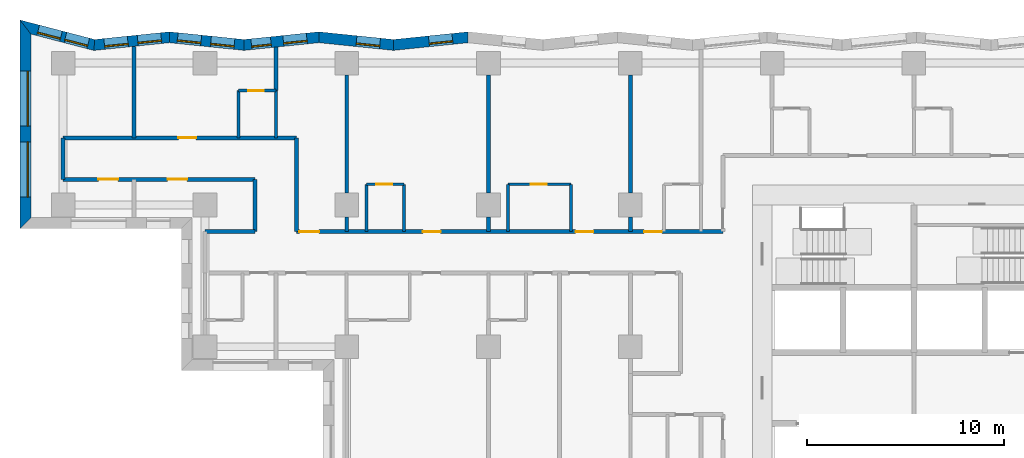
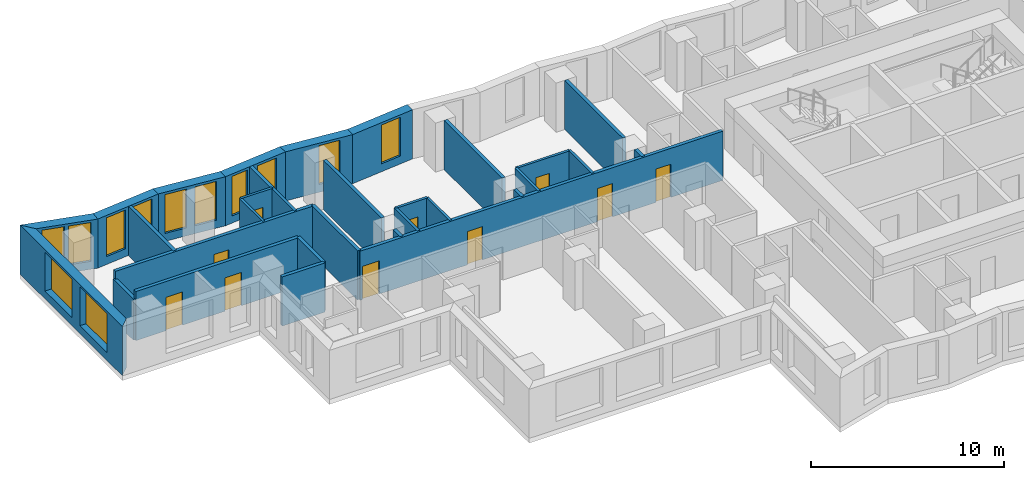
# One storey, part 4 of 12: 31 walls, 12 windows, 10 doors, 22 openings.
"""IFC4 building model written with IfcOpenShell, lengths in metres."""

from ifc_helpers import new_model, si_unit, direction, frame, frame_2d, origin, place, context, subcontext, project, spatial, polyline, rectangle, outline, extrude, material, layer, layer_set, type_object, element, fill, save


model = new_model("IFC4")

# Units and contexts
model_context = context("Model", 3, precision=1e-05, world=origin(), true_north=direction((0.0, 1.0)))
body_context = subcontext(model_context, "Body", "Model", "MODEL_VIEW")
ifc_project = project(units=[si_unit("LENGTHUNIT", "METRE"), si_unit("AREAUNIT", "SQUARE_METRE"), si_unit("VOLUMEUNIT", "CUBIC_METRE"), si_unit("PLANEANGLEUNIT", "RADIAN"), si_unit("MASSUNIT", "GRAM", prefix="KILO")], contexts=[model_context])

# Site, building, storey
site_placement = place(None, origin())
site = spatial("IfcSite", under=ifc_project, at=site_placement, CompositionType="ELEMENT")
building_placement = place(site_placement, origin())
building = spatial("IfcBuilding", under=site, at=building_placement, Name="Windrow Commons", CompositionType="ELEMENT")
storey_placement = place(building_placement, frame((0.0, 0.0, 37.2)))
storey = spatial("IfcBuildingStorey", under=building, at=storey_placement, Name="L09", CompositionType="ELEMENT", Elevation=37.2)

# Wall, opening, window
ifc_material_1 = material(Name="Brick masonry, red clay brick", Category="masonry")
ifc_layer_1 = layer(ifc_material_1, 0.55)
ifc_layer_set_1 = layer_set([ifc_layer_1], Name="Brick facade wall 550")
wall_type_1 = type_object("IfcWallType", Name="Brick facade wall 550", PredefinedType="SOLIDWALL", material=ifc_layer_set_1)
wall_1_placement = place(storey_placement, frame((42.171, 73.3145, 0.0), z_axis=(0.0, 0.0, 1.0), x_axis=(-0.9947306832, -0.1025225234, 0.0)))
wall_1 = element("IfcWall", 1, at=wall_1_placement, inside=storey, type_object=wall_type_1, Name="Brick facade wall L09 33", PredefinedType="SOLIDWALL", context=body_context, shape_type="SweptSolid", body=[
    extrude(outline(polyline([(-0.0283, -0.275), (3.7854, -0.275), (3.8421, 0.275), (0.0283, 0.275), (-0.0283, -0.275)])), origin(), (0.0, 0.0, 1.0), 3.1),
])
opening_1_placement = place(wall_1_placement, frame((0.8065, 0.0, 0.5)))
opening_1 = element("IfcOpeningElement", 2, at=opening_1_placement, cuts=wall_1, Name="Opening W7D", PredefinedType="OPENING", context=body_context, shape_type="SweptSolid", body=[
    extrude(rectangle(XDim=1.2, YDim=2.45, at=frame_2d((0.6, 1.225))), frame((0.0, 0.285, 0.0), z_axis=(0.0, -1.0, 0.0), x_axis=(1.0, 0.0, 0.0)), (0.0, 0.0, 1.0), 0.57),
])
ifc_material_2 = material(Name="Clear float glass in anodised aluminium frame", Category="aluminium")
window_type_1 = type_object("IfcWindowType", Name="Window W7 notch 1200x2450", PartitioningType="SINGLE_PANEL", PredefinedType="WINDOW", material=ifc_material_2)
window_1_placement = place(opening_1_placement, origin())
window_1 = element("IfcWindow", 3, at=window_1_placement, inside=storey, type_object=window_type_1, Name="Window L09 33.1", OverallHeight=2.45, OverallWidth=1.2, PartitioningType="SINGLE_PANEL", PredefinedType="WINDOW", context=body_context, shape_type="SweptSolid", body=[
    extrude(rectangle(XDim=1.2, YDim=2.45, at=frame_2d((0.6, 1.225))), frame((0.0, 0.155, 0.0), z_axis=(0.0, -1.0, 0.0), x_axis=(1.0, 0.0, 0.0)), (0.0, 0.0, 1.0), 0.06),
])
fill(opening_1, window_1)

wall_2_placement = place(storey_placement, frame((38.3773, 72.9235, 0.0), z_axis=(0.0, 0.0, 1.0), x_axis=(-0.9947306832, 0.1025225234, 0.0)))
wall_2 = element("IfcWall", 4, at=wall_2_placement, inside=storey, type_object=wall_type_1, Name="Brick facade wall L09 34", PredefinedType="SOLIDWALL", context=body_context, shape_type="SweptSolid", body=[
    extrude(outline(polyline([(0.0283, -0.275), (3.8421, -0.275), (3.7854, 0.275), (-0.0283, 0.275), (0.0283, -0.275)])), origin(), (0.0, 0.0, 1.0), 3.1),
])
opening_2_placement = place(wall_2_placement, frame((0.695, 0.0, 0.5)))
opening_2 = element("IfcOpeningElement", 5, at=opening_2_placement, cuts=wall_2, Name="Opening W7D", PredefinedType="OPENING", context=body_context, shape_type="SweptSolid", body=[
    extrude(rectangle(XDim=1.2, YDim=2.45, at=frame_2d((0.6, 1.225))), frame((0.0, 0.285, 0.0), z_axis=(0.0, -1.0, 0.0), x_axis=(1.0, 0.0, 0.0)), (0.0, 0.0, 1.0), 0.57),
])
window_2_placement = place(opening_2_placement, origin())
window_2 = element("IfcWindow", 6, at=window_2_placement, inside=storey, type_object=window_type_1, Name="Window L09 34.1", OverallHeight=2.45, OverallWidth=1.2, PartitioningType="SINGLE_PANEL", PredefinedType="WINDOW", context=body_context, shape_type="SweptSolid", body=[
    extrude(rectangle(XDim=1.2, YDim=2.45, at=frame_2d((0.6, 1.225))), frame((0.0, 0.155, 0.0), z_axis=(0.0, -1.0, 0.0), x_axis=(1.0, 0.0, 0.0)), (0.0, 0.0, 1.0), 0.06),
])
fill(opening_2, window_2)

# Wall, openings, windows
wall_3_placement = place(storey_placement, frame((34.5836, 73.3145, 0.0), z_axis=(0.0, 0.0, 1.0), x_axis=(-0.9947304076, -0.1025251975, 0.0)))
wall_3 = element("IfcWall", 7, at=wall_3_placement, inside=storey, type_object=wall_type_1, Name="Brick facade wall L09 35", PredefinedType="SOLIDWALL", context=body_context, shape_type="SweptSolid", body=[
    extrude(outline(polyline([(-0.0283, -0.275), (3.7854, -0.275), (3.8421, 0.275), (0.0283, 0.275), (-0.0283, -0.275)])), origin(), (0.0, 0.0, 1.0), 3.1),
])
opening_3_placement = place(wall_3_placement, frame((0.6118, 0.0, 0.5)))
opening_3 = element("IfcOpeningElement", 8, at=opening_3_placement, cuts=wall_3, Name="Opening W7D", PredefinedType="OPENING", context=body_context, shape_type="SweptSolid", body=[
    extrude(rectangle(XDim=1.2, YDim=2.45, at=frame_2d((0.6, 1.225))), frame((0.0, 0.285, 0.0), z_axis=(0.0, -1.0, 0.0), x_axis=(1.0, 0.0, 0.0)), (0.0, 0.0, 1.0), 0.57),
])
opening_4_placement = place(wall_3_placement, frame((2.4439, 0.0, 0.45)))
opening_4 = element("IfcOpeningElement", 9, at=opening_4_placement, cuts=wall_3, Name="Opening W1S", PredefinedType="OPENING", context=body_context, shape_type="SweptSolid", body=[
    extrude(rectangle(XDim=1.0, YDim=2.5, at=frame_2d((0.5, 1.25))), frame((0.0, 0.285, 0.0), z_axis=(0.0, -1.0, 0.0), x_axis=(1.0, 0.0, 0.0)), (0.0, 0.0, 1.0), 0.57),
])
ifc_material_3 = material(Name="Clear float glass in anodised aluminium frame", Category="aluminium")
window_type_2 = type_object("IfcWindowType", Name="Window W1S slit 1000x2500", PartitioningType="SINGLE_PANEL", PredefinedType="WINDOW", material=ifc_material_3)
window_3_placement = place(opening_4_placement, origin())
window_3 = element("IfcWindow", 10, at=window_3_placement, inside=storey, type_object=window_type_2, Name="Window L09 35.2A", OverallHeight=2.5, OverallWidth=1.0, PartitioningType="SINGLE_PANEL", PredefinedType="WINDOW", context=body_context, shape_type="SweptSolid", body=[
    extrude(rectangle(XDim=1.0, YDim=2.5, at=frame_2d((0.5, 1.25))), frame((0.0, 0.155, 0.0), z_axis=(0.0, -1.0, 0.0), x_axis=(1.0, 0.0, 0.0)), (0.0, 0.0, 1.0), 0.06),
])
fill(opening_4, window_3)
window_4_placement = place(opening_3_placement, origin())
window_4 = element("IfcWindow", 11, at=window_4_placement, inside=storey, type_object=window_type_1, Name="Window L09 35.1", OverallHeight=2.45, OverallWidth=1.2, PartitioningType="SINGLE_PANEL", PredefinedType="WINDOW", context=body_context, shape_type="SweptSolid", body=[
    extrude(rectangle(XDim=1.2, YDim=2.45, at=frame_2d((0.6, 1.225))), frame((0.0, 0.155, 0.0), z_axis=(0.0, -1.0, 0.0), x_axis=(1.0, 0.0, 0.0)), (0.0, 0.0, 1.0), 0.06),
])
fill(opening_3, window_4)

wall_4_placement = place(storey_placement, frame((30.79, 72.9235, 0.0), z_axis=(0.0, 0.0, 1.0), x_axis=(-0.9947306832, 0.1025225234, 0.0)))
wall_4 = element("IfcWall", 12, at=wall_4_placement, inside=storey, type_object=wall_type_1, Name="Brick facade wall L09 36", PredefinedType="SOLIDWALL", context=body_context, shape_type="SweptSolid", body=[
    extrude(outline(polyline([(0.0283, -0.275), (3.8421, -0.275), (3.7854, 0.275), (-0.0283, 0.275), (0.0283, -0.275)])), origin(), (0.0, 0.0, 1.0), 3.1),
])
opening_5_placement = place(wall_4_placement, frame((0.5003, 0.0, 0.5)))
opening_5 = element("IfcOpeningElement", 13, at=opening_5_placement, cuts=wall_4, Name="Opening W7D", PredefinedType="OPENING", context=body_context, shape_type="SweptSolid", body=[
    extrude(rectangle(XDim=1.2, YDim=2.45, at=frame_2d((0.6, 1.225))), frame((0.0, 0.285, 0.0), z_axis=(0.0, -1.0, 0.0), x_axis=(1.0, 0.0, 0.0)), (0.0, 0.0, 1.0), 0.57),
])
opening_6_placement = place(wall_4_placement, frame((2.193, 0.0, 0.5)))
opening_6 = element("IfcOpeningElement", 14, at=opening_6_placement, cuts=wall_4, Name="Opening W7D", PredefinedType="OPENING", context=body_context, shape_type="SweptSolid", body=[
    extrude(rectangle(XDim=1.2, YDim=2.45, at=frame_2d((0.6, 1.225))), frame((0.0, 0.285, 0.0), z_axis=(0.0, -1.0, 0.0), x_axis=(1.0, 0.0, 0.0)), (0.0, 0.0, 1.0), 0.57),
])
window_5_placement = place(opening_5_placement, origin())
window_5 = element("IfcWindow", 15, at=window_5_placement, inside=storey, type_object=window_type_1, Name="Window L09 36.1", OverallHeight=2.45, OverallWidth=1.2, PartitioningType="SINGLE_PANEL", PredefinedType="WINDOW", context=body_context, shape_type="SweptSolid", body=[
    extrude(rectangle(XDim=1.2, YDim=2.45, at=frame_2d((0.6, 1.225))), frame((0.0, 0.155, 0.0), z_axis=(0.0, -1.0, 0.0), x_axis=(1.0, 0.0, 0.0)), (0.0, 0.0, 1.0), 0.06),
])
fill(opening_5, window_5)
window_6_placement = place(opening_6_placement, origin())
window_6 = element("IfcWindow", 16, at=window_6_placement, inside=storey, type_object=window_type_1, Name="Window L09 36.2", OverallHeight=2.45, OverallWidth=1.2, PartitioningType="SINGLE_PANEL", PredefinedType="WINDOW", context=body_context, shape_type="SweptSolid", body=[
    extrude(rectangle(XDim=1.2, YDim=2.45, at=frame_2d((0.6, 1.225))), frame((0.0, 0.155, 0.0), z_axis=(0.0, -1.0, 0.0), x_axis=(1.0, 0.0, 0.0)), (0.0, 0.0, 1.0), 0.06),
])
fill(opening_6, window_6)

wall_5_placement = place(storey_placement, frame((26.9963, 73.3145, 0.0), z_axis=(0.0, 0.0, 1.0), x_axis=(-0.9947305582, -0.1025237367, 0.0)))
wall_5 = element("IfcWall", 17, at=wall_5_placement, inside=storey, type_object=wall_type_1, Name="Brick facade wall L09 37", PredefinedType="SOLIDWALL", context=body_context, shape_type="SweptSolid", body=[
    extrude(outline(polyline([(-0.0283, -0.275), (3.7854, -0.275), (3.885, 0.275), (0.0283, 0.275), (-0.0283, -0.275)])), origin(), (0.0, 0.0, 1.0), 3.1),
])
opening_7_placement = place(wall_5_placement, frame((0.4171, 0.0, 0.5)))
opening_7 = element("IfcOpeningElement", 18, at=opening_7_placement, cuts=wall_5, Name="Opening W7D", PredefinedType="OPENING", context=body_context, shape_type="SweptSolid", body=[
    extrude(rectangle(XDim=1.2, YDim=2.45, at=frame_2d((0.6, 1.225))), frame((0.0, 0.285, 0.0), z_axis=(0.0, -1.0, 0.0), x_axis=(1.0, 0.0, 0.0)), (0.0, 0.0, 1.0), 0.57),
])
opening_8_placement = place(wall_5_placement, frame((2.1205, 0.0, 0.5)))
opening_8 = element("IfcOpeningElement", 19, at=opening_8_placement, cuts=wall_5, Name="Opening W7D", PredefinedType="OPENING", context=body_context, shape_type="SweptSolid", body=[
    extrude(rectangle(XDim=1.2, YDim=2.45, at=frame_2d((0.6, 1.225))), frame((0.0, 0.285, 0.0), z_axis=(0.0, -1.0, 0.0), x_axis=(1.0, 0.0, 0.0)), (0.0, 0.0, 1.0), 0.57),
])
window_7_placement = place(opening_7_placement, origin())
window_7 = element("IfcWindow", 20, at=window_7_placement, inside=storey, type_object=window_type_1, Name="Window L09 37.1", OverallHeight=2.45, OverallWidth=1.2, PartitioningType="SINGLE_PANEL", PredefinedType="WINDOW", context=body_context, shape_type="SweptSolid", body=[
    extrude(rectangle(XDim=1.2, YDim=2.45, at=frame_2d((0.6, 1.225))), frame((0.0, 0.155, 0.0), z_axis=(0.0, -1.0, 0.0), x_axis=(1.0, 0.0, 0.0)), (0.0, 0.0, 1.0), 0.06),
])
fill(opening_7, window_7)
window_8_placement = place(opening_8_placement, origin())
window_8 = element("IfcWindow", 21, at=window_8_placement, inside=storey, type_object=window_type_1, Name="Window L09 37.2", OverallHeight=2.45, OverallWidth=1.2, PartitioningType="SINGLE_PANEL", PredefinedType="WINDOW", context=body_context, shape_type="SweptSolid", body=[
    extrude(rectangle(XDim=1.2, YDim=2.45, at=frame_2d((0.6, 1.225))), frame((0.0, 0.155, 0.0), z_axis=(0.0, -1.0, 0.0), x_axis=(1.0, 0.0, 0.0)), (0.0, 0.0, 1.0), 0.06),
])
fill(opening_8, window_8)

wall_6_placement = place(storey_placement, frame((23.1813, 72.9213, 0.0), z_axis=(0.0, 0.0, 1.0), x_axis=(-0.9675320185, 0.252748478, 0.0)))
wall_6 = element("IfcWall", 22, at=wall_6_placement, inside=storey, type_object=wall_type_1, Name="Brick facade wall L09 38", PredefinedType="SOLIDWALL", context=body_context, shape_type="SweptSolid", body=[
    extrude(outline(polyline([(0.0498, -0.275), (3.9708, -0.275), (3.2586, 0.275), (-0.0498, 0.275), (0.0498, -0.275)])), origin(), (0.0, 0.0, 1.0), 3.1),
])
opening_9_placement = place(wall_6_placement, frame((0.3172, 0.0, 0.5)))
opening_9 = element("IfcOpeningElement", 23, at=opening_9_placement, cuts=wall_6, Name="Opening W7D", PredefinedType="OPENING", context=body_context, shape_type="SweptSolid", body=[
    extrude(rectangle(XDim=1.2, YDim=2.45, at=frame_2d((0.6, 1.225))), frame((0.0, 0.285, 0.0), z_axis=(0.0, -1.0, 0.0), x_axis=(1.0, 0.0, 0.0)), (0.0, 0.0, 1.0), 0.57),
])
opening_10_placement = place(wall_6_placement, frame((1.7465, 0.0, 0.5)))
opening_10 = element("IfcOpeningElement", 24, at=opening_10_placement, cuts=wall_6, Name="Opening W7D", PredefinedType="OPENING", context=body_context, shape_type="SweptSolid", body=[
    extrude(rectangle(XDim=1.2, YDim=2.45, at=frame_2d((0.6, 1.225))), frame((0.0, 0.285, 0.0), z_axis=(0.0, -1.0, 0.0), x_axis=(1.0, 0.0, 0.0)), (0.0, 0.0, 1.0), 0.57),
])
window_9_placement = place(opening_9_placement, origin())
window_9 = element("IfcWindow", 25, at=window_9_placement, inside=storey, type_object=window_type_1, Name="Window L09 38.1", OverallHeight=2.45, OverallWidth=1.2, PartitioningType="SINGLE_PANEL", PredefinedType="WINDOW", context=body_context, shape_type="SweptSolid", body=[
    extrude(rectangle(XDim=1.2, YDim=2.45, at=frame_2d((0.6, 1.225))), frame((0.0, 0.155, 0.0), z_axis=(0.0, -1.0, 0.0), x_axis=(1.0, 0.0, 0.0)), (0.0, 0.0, 1.0), 0.06),
])
fill(opening_9, window_9)
window_10_placement = place(opening_10_placement, origin())
window_10 = element("IfcWindow", 26, at=window_10_placement, inside=storey, type_object=window_type_1, Name="Window L09 38.2", OverallHeight=2.45, OverallWidth=1.2, PartitioningType="SINGLE_PANEL", PredefinedType="WINDOW", context=body_context, shape_type="SweptSolid", body=[
    extrude(rectangle(XDim=1.2, YDim=2.45, at=frame_2d((0.6, 1.225))), frame((0.0, 0.155, 0.0), z_axis=(0.0, -1.0, 0.0), x_axis=(1.0, 0.0, 0.0)), (0.0, 0.0, 1.0), 0.06),
])
fill(opening_10, window_10)

wall_7_placement = place(storey_placement, frame((19.684, 73.8349, 0.0), z_axis=(0.0, 0.0, 1.0), x_axis=(0.0, -1.0, 0.0)))
wall_7 = element("IfcWall", 27, at=wall_7_placement, inside=storey, type_object=wall_type_1, Name="Brick facade wall L09 39", PredefinedType="SOLIDWALL", context=body_context, shape_type="SweptSolid", body=[
    extrude(outline(polyline([(-0.3561, -0.275), (10.2349, -0.275), (9.6849, 0.275), (0.3561, 0.275), (-0.3561, -0.275)])), origin(), (0.0, 0.0, 1.0), 3.1),
])
opening_11_placement = place(wall_7_placement, frame((2.2349, 0.0, 0.5)))
opening_11 = element("IfcOpeningElement", 28, at=opening_11_placement, cuts=wall_7, Name="Opening W1T", PredefinedType="OPENING", context=body_context, shape_type="SweptSolid", body=[
    extrude(rectangle(XDim=2.8, YDim=2.45, at=frame_2d((1.4, 1.225))), frame((0.0, 0.285, 0.0), z_axis=(0.0, -1.0, 0.0), x_axis=(1.0, 0.0, 0.0)), (0.0, 0.0, 1.0), 0.57),
])
opening_12_placement = place(wall_7_placement, frame((5.8349, 0.0, 0.5)))
opening_12 = element("IfcOpeningElement", 29, at=opening_12_placement, cuts=wall_7, Name="Opening W1T", PredefinedType="OPENING", context=body_context, shape_type="SweptSolid", body=[
    extrude(rectangle(XDim=2.8, YDim=2.45, at=frame_2d((1.4, 1.225))), frame((0.0, 0.285, 0.0), z_axis=(0.0, -1.0, 0.0), x_axis=(1.0, 0.0, 0.0)), (0.0, 0.0, 1.0), 0.57),
])
ifc_material_4 = material(Name="Clear float glass in anodised aluminium frame", Category="aluminium")
window_type_3 = type_object("IfcWindowType", Name="Window W1T bedroom 2800x2450", PartitioningType="SINGLE_PANEL", PredefinedType="WINDOW", material=ifc_material_4)
window_11_placement = place(opening_11_placement, origin())
window_11 = element("IfcWindow", 30, at=window_11_placement, inside=storey, type_object=window_type_3, Name="Window L09 39.1", OverallHeight=2.45, OverallWidth=2.8, PartitioningType="SINGLE_PANEL", PredefinedType="WINDOW", context=body_context, shape_type="SweptSolid", body=[
    extrude(rectangle(XDim=2.8, YDim=2.45, at=frame_2d((1.4, 1.225))), frame((0.0, 0.155, 0.0), z_axis=(0.0, -1.0, 0.0), x_axis=(1.0, 0.0, 0.0)), (0.0, 0.0, 1.0), 0.06),
])
fill(opening_11, window_11)
window_12_placement = place(opening_12_placement, origin())
window_12 = element("IfcWindow", 31, at=window_12_placement, inside=storey, type_object=window_type_3, Name="Window L09 39.2", OverallHeight=2.45, OverallWidth=2.8, PartitioningType="SINGLE_PANEL", PredefinedType="WINDOW", context=body_context, shape_type="SweptSolid", body=[
    extrude(rectangle(XDim=2.8, YDim=2.45, at=frame_2d((1.4, 1.225))), frame((0.0, 0.155, 0.0), z_axis=(0.0, -1.0, 0.0), x_axis=(1.0, 0.0, 0.0)), (0.0, 0.0, 1.0), 0.06),
])
fill(opening_12, window_12)

# Wall, openings, doors
ifc_material_5 = material(Name="Blockwork partition", Category="masonry")
ifc_layer_2 = layer(ifc_material_5, 0.2)
ifc_layer_set_2 = layer_set([ifc_layer_2], Name="IW-CORRIDOR-200")
wall_type_2 = type_object("IfcWallType", Name="IW-CORRIDOR-200", PredefinedType="PARTITIONING", material=ifc_layer_set_2)
wall_8_placement = place(storey_placement, frame((33.452, 63.45, 0.0), z_axis=(0.0, 0.0, 1.0), x_axis=(1.0, 0.0, 0.0)))
wall_8 = element("IfcWall", 32, at=wall_8_placement, inside=storey, type_object=wall_type_2, Name="W-L09-W001", PredefinedType="PARTITIONING", context=body_context, shape_type="SweptSolid", body=[
    extrude(rectangle(XDim=21.648, YDim=0.2, at=frame_2d((10.824, 0.0))), origin(), (0.0, 0.0, 1.0), 3.1),
])
opening_13_placement = place(wall_8_placement, frame((0.1418, 0.0, 0.0)))
opening_13 = element("IfcOpeningElement", 33, at=opening_13_placement, cuts=wall_8, Name="Opening D310F", PredefinedType="OPENING", context=body_context, shape_type="SweptSolid", body=[
    extrude(rectangle(XDim=1.0, YDim=2.1, at=frame_2d((0.5, 1.05))), frame((0.0, 0.11, 0.0), z_axis=(0.0, -1.0, 0.0), x_axis=(1.0, 0.0, 0.0)), (0.0, 0.0, 1.0), 0.22),
])
opening_14_placement = place(wall_8_placement, frame((6.4121, 0.0, 0.0)))
opening_14 = element("IfcOpeningElement", 34, at=opening_14_placement, cuts=wall_8, Name="Opening D109F", PredefinedType="OPENING", context=body_context, shape_type="SweptSolid", body=[
    extrude(rectangle(XDim=0.9, YDim=2.1, at=frame_2d((0.45, 1.05))), frame((0.0, 0.11, 0.0), z_axis=(0.0, -1.0, 0.0), x_axis=(1.0, 0.0, 0.0)), (0.0, 0.0, 1.0), 0.22),
])
opening_15_placement = place(wall_8_placement, frame((14.168, 0.0, 0.0)))
opening_15 = element("IfcOpeningElement", 35, at=opening_15_placement, cuts=wall_8, Name="Opening D109F", PredefinedType="OPENING", context=body_context, shape_type="SweptSolid", body=[
    extrude(rectangle(XDim=0.9, YDim=2.1, at=frame_2d((0.45, 1.05))), frame((0.0, 0.11, 0.0), z_axis=(0.0, -1.0, 0.0), x_axis=(1.0, 0.0, 0.0)), (0.0, 0.0, 1.0), 0.22),
])
opening_16_placement = place(wall_8_placement, frame((17.6513, 0.0, 0.0)))
opening_16 = element("IfcOpeningElement", 36, at=opening_16_placement, cuts=wall_8, Name="Opening D109S", PredefinedType="OPENING", context=body_context, shape_type="SweptSolid", body=[
    extrude(rectangle(XDim=0.9, YDim=2.1, at=frame_2d((0.45, 1.05))), frame((0.0, 0.11, 0.0), z_axis=(0.0, -1.0, 0.0), x_axis=(1.0, 0.0, 0.0)), (0.0, 0.0, 1.0), 0.22),
])
ifc_material_6 = material(Name="Timber door leaf", Category="wood")
door_type_1 = type_object("IfcDoorType", Name="DT-AMENITY-1000", OperationType="SINGLE_SWING_LEFT", PredefinedType="DOOR", material=ifc_material_6)
door_1_placement = place(opening_13_placement, origin())
door_1 = element("IfcDoor", 37, at=door_1_placement, inside=storey, type_object=door_type_1, Name="D-L09-D012", OperationType="SINGLE_SWING_LEFT", OverallHeight=2.1, OverallWidth=1.0, PredefinedType="DOOR", context=body_context, shape_type="SweptSolid", body=[
    extrude(rectangle(XDim=1.0, YDim=2.1, at=frame_2d((0.5, 1.05))), frame((0.0, 0.025, 0.0), z_axis=(0.0, -1.0, 0.0), x_axis=(1.0, 0.0, 0.0)), (0.0, 0.0, 1.0), 0.05),
])
fill(opening_13, door_1)
ifc_material_7 = material(Name="Timber door leaf", Category="wood")
door_type_2 = type_object("IfcDoorType", Name="DT-BEDROOM-900", OperationType="SINGLE_SWING_LEFT", PredefinedType="DOOR", material=ifc_material_7)
door_2_placement = place(opening_14_placement, origin())
door_2 = element("IfcDoor", 38, at=door_2_placement, inside=storey, type_object=door_type_2, Name="D-L09-D013", OperationType="SINGLE_SWING_RIGHT", OverallHeight=2.1, OverallWidth=0.9, PredefinedType="DOOR", context=body_context, shape_type="SweptSolid", body=[
    extrude(rectangle(XDim=0.9, YDim=2.1, at=frame_2d((0.45, 1.05))), frame((0.0, 0.025, 0.0), z_axis=(0.0, -1.0, 0.0), x_axis=(1.0, 0.0, 0.0)), (0.0, 0.0, 1.0), 0.05),
])
fill(opening_14, door_2)
door_3_placement = place(opening_15_placement, origin())
door_3 = element("IfcDoor", 39, at=door_3_placement, inside=storey, type_object=door_type_2, Name="D-L09-D015", OperationType="SINGLE_SWING_RIGHT", OverallHeight=2.1, OverallWidth=0.9, PredefinedType="DOOR", context=body_context, shape_type="SweptSolid", body=[
    extrude(rectangle(XDim=0.9, YDim=2.1, at=frame_2d((0.45, 1.05))), frame((0.0, 0.025, 0.0), z_axis=(0.0, -1.0, 0.0), x_axis=(1.0, 0.0, 0.0)), (0.0, 0.0, 1.0), 0.05),
])
fill(opening_15, door_3)
door_4_placement = place(opening_16_placement, origin())
door_4 = element("IfcDoor", 40, at=door_4_placement, inside=storey, type_object=door_type_2, Name="D-L09-D017", OperationType="SINGLE_SWING_RIGHT", OverallHeight=2.1, OverallWidth=0.9, PredefinedType="DOOR", context=body_context, shape_type="SweptSolid", body=[
    extrude(rectangle(XDim=0.9, YDim=2.1, at=frame_2d((0.45, 1.05))), frame((0.0, 0.025, 0.0), z_axis=(0.0, -1.0, 0.0), x_axis=(1.0, 0.0, 0.0)), (0.0, 0.0, 1.0), 0.05),
])
fill(opening_16, door_4)

# Wall, opening, door
wall_9_placement = place(storey_placement, frame((21.602, 68.2, 0.0), z_axis=(0.0, 0.0, 1.0), x_axis=(1.0, 0.0, 0.0)))
wall_9 = element("IfcWall", 41, at=wall_9_placement, inside=storey, type_object=wall_type_2, Name="W-L09-W006", PredefinedType="PARTITIONING", context=body_context, shape_type="SweptSolid", body=[
    extrude(rectangle(XDim=11.848, YDim=0.2, at=frame_2d((5.924, 0.0))), origin(), (0.0, 0.0, 1.0), 3.1),
])
opening_17_placement = place(wall_9_placement, frame((5.8546, 0.0, 0.0)))
opening_17 = element("IfcOpeningElement", 42, at=opening_17_placement, cuts=wall_9, Name="Opening D109F", PredefinedType="OPENING", context=body_context, shape_type="SweptSolid", body=[
    extrude(rectangle(XDim=0.9, YDim=2.1, at=frame_2d((0.45, 1.05))), frame((0.0, 0.11, 0.0), z_axis=(0.0, -1.0, 0.0), x_axis=(1.0, 0.0, 0.0)), (0.0, 0.0, 1.0), 0.22),
])
door_5_placement = place(opening_17_placement, origin())
door_5 = element("IfcDoor", 43, at=door_5_placement, inside=storey, type_object=door_type_2, Name="D-L09-D003", OperationType="SINGLE_SWING_LEFT", OverallHeight=2.1, OverallWidth=0.9, PredefinedType="DOOR", context=body_context, shape_type="SweptSolid", body=[
    extrude(rectangle(XDim=0.9, YDim=2.1, at=frame_2d((0.45, 1.05))), frame((0.0, 0.025, 0.0), z_axis=(0.0, -1.0, 0.0), x_axis=(1.0, 0.0, 0.0)), (0.0, 0.0, 1.0), 0.05),
])
fill(opening_17, door_5)

# Wall, openings, doors
wall_10_placement = place(storey_placement, frame((21.602, 66.1, 0.0), z_axis=(0.0, 0.0, 1.0), x_axis=(1.0, 0.0, 0.0)))
wall_10 = element("IfcWall", 44, at=wall_10_placement, inside=storey, type_object=wall_type_2, Name="W-L09-W012", PredefinedType="PARTITIONING", context=body_context, shape_type="SweptSolid", body=[
    extrude(rectangle(XDim=9.748, YDim=0.2, at=frame_2d((4.874, 0.0))), origin(), (0.0, 0.0, 1.0), 3.1),
])
opening_18_placement = place(wall_10_placement, frame((1.7907, 0.0, 0.0)))
opening_18 = element("IfcOpeningElement", 45, at=opening_18_placement, cuts=wall_10, Name="Opening D310F", PredefinedType="OPENING", context=body_context, shape_type="SweptSolid", body=[
    extrude(rectangle(XDim=1.0, YDim=2.1, at=frame_2d((0.5, 1.05))), frame((0.0, 0.11, 0.0), z_axis=(0.0, -1.0, 0.0), x_axis=(1.0, 0.0, 0.0)), (0.0, 0.0, 1.0), 0.22),
])
opening_19_placement = place(wall_10_placement, frame((5.2996, 0.0, 0.0)))
opening_19 = element("IfcOpeningElement", 46, at=opening_19_placement, cuts=wall_10, Name="Opening D310F", PredefinedType="OPENING", context=body_context, shape_type="SweptSolid", body=[
    extrude(rectangle(XDim=1.0, YDim=2.1, at=frame_2d((0.5, 1.05))), frame((0.0, 0.11, 0.0), z_axis=(0.0, -1.0, 0.0), x_axis=(1.0, 0.0, 0.0)), (0.0, 0.0, 1.0), 0.22),
])
door_6_placement = place(opening_18_placement, origin())
door_6 = element("IfcDoor", 47, at=door_6_placement, inside=storey, type_object=door_type_1, Name="D-L09-D001", OperationType="SINGLE_SWING_RIGHT", OverallHeight=2.1, OverallWidth=1.0, PredefinedType="DOOR", context=body_context, shape_type="SweptSolid", body=[
    extrude(rectangle(XDim=1.0, YDim=2.1, at=frame_2d((0.5, 1.05))), frame((0.0, 0.025, 0.0), z_axis=(0.0, -1.0, 0.0), x_axis=(1.0, 0.0, 0.0)), (0.0, 0.0, 1.0), 0.05),
])
fill(opening_18, door_6)
door_7_placement = place(opening_19_placement, origin())
door_7 = element("IfcDoor", 48, at=door_7_placement, inside=storey, type_object=door_type_1, Name="D-L09-D002", OperationType="SINGLE_SWING_RIGHT", OverallHeight=2.1, OverallWidth=1.0, PredefinedType="DOOR", context=body_context, shape_type="SweptSolid", body=[
    extrude(rectangle(XDim=1.0, YDim=2.1, at=frame_2d((0.5, 1.05))), frame((0.0, 0.025, 0.0), z_axis=(0.0, -1.0, 0.0), x_axis=(1.0, 0.0, 0.0)), (0.0, 0.0, 1.0), 0.05),
])
fill(opening_19, door_7)

# Walls
wall_11_placement = place(storey_placement, frame((33.45, 63.452, 0.0), z_axis=(0.0, 0.0, 1.0), x_axis=(0.0, 1.0, 0.0)))
element("IfcWall", 49, at=wall_11_placement, inside=storey, type_object=wall_type_2, Name="W-L09-W041", PredefinedType="PARTITIONING", context=body_context, shape_type="SweptSolid", body=[
    extrude(rectangle(XDim=4.748, YDim=0.2, at=frame_2d((2.374, 0.0))), origin(), (0.0, 0.0, 1.0), 3.1),
])
wall_12_placement = place(storey_placement, frame((31.35, 63.452, 0.0), z_axis=(0.0, 0.0, 1.0), x_axis=(0.0, 1.0, 0.0)))
element("IfcWall", 50, at=wall_12_placement, inside=storey, type_object=wall_type_2, Name="W-L09-W065", PredefinedType="PARTITIONING", context=body_context, shape_type="SweptSolid", body=[
    extrude(rectangle(XDim=2.648, YDim=0.2, at=frame_2d((1.324, 0.0))), origin(), (0.0, 0.0, 1.0), 3.1),
])
wall_13_placement = place(storey_placement, frame((28.802, 63.45, 0.0), z_axis=(0.0, 0.0, 1.0), x_axis=(1.0, 0.0, 0.0)))
element("IfcWall", 51, at=wall_13_placement, inside=storey, type_object=wall_type_2, Name="W-L09-W067", PredefinedType="PARTITIONING", context=body_context, shape_type="SweptSolid", body=[
    extrude(rectangle(XDim=2.548, YDim=0.2, at=frame_2d((1.274, 0.0))), origin(), (0.0, 0.0, 1.0), 3.1),
])
wall_14_placement = place(storey_placement, frame((21.6, 66.102, 0.0), z_axis=(0.0, 0.0, 1.0), x_axis=(0.0, 1.0, 0.0)))
element("IfcWall", 52, at=wall_14_placement, inside=storey, type_object=wall_type_2, Name="W-L09-W119", PredefinedType="PARTITIONING", context=body_context, shape_type="SweptSolid", body=[
    extrude(rectangle(XDim=2.096, YDim=0.2, at=frame_2d((1.048, 0.0))), origin(), (0.0, 0.0, 1.0), 2.6),
])

# Wall, opening, door
ifc_material_8 = material(Name="Blockwork partition", Category="masonry")
ifc_layer_3 = layer(ifc_material_8, 0.15)
ifc_layer_set_3 = layer_set([ifc_layer_3], Name="IW-ENSUITE-150")
wall_type_3 = type_object("IfcWallType", Name="IW-ENSUITE-150", PredefinedType="PARTITIONING", material=ifc_layer_set_3)
wall_15_placement = place(storey_placement, frame((44.2, 65.85, 0.0), z_axis=(0.0, 0.0, 1.0), x_axis=(1.0, 0.0, 0.0)))
wall_15 = element("IfcWall", 53, at=wall_15_placement, inside=storey, type_object=wall_type_3, Name="W-L09-W061", PredefinedType="PARTITIONING", context=body_context, shape_type="SweptSolid", body=[
    extrude(rectangle(XDim=3.2, YDim=0.15, at=frame_2d((1.6, 0.0))), origin(), (0.0, 0.0, 1.0), 3.1),
])
opening_20_placement = place(wall_15_placement, frame((1.154, 0.0, 0.0)))
opening_20 = element("IfcOpeningElement", 54, at=opening_20_placement, cuts=wall_15, Name="Opening D208N", PredefinedType="OPENING", context=body_context, shape_type="SweptSolid", body=[
    extrude(rectangle(XDim=0.8, YDim=2.1, at=frame_2d((0.4, 1.05))), frame((0.0, 0.085, 0.0), z_axis=(0.0, -1.0, 0.0), x_axis=(1.0, 0.0, 0.0)), (0.0, 0.0, 1.0), 0.17),
])
ifc_material_9 = material(Name="Timber door leaf", Category="wood")
door_type_3 = type_object("IfcDoorType", Name="DT-ENSUITE-800", OperationType="SINGLE_SWING_LEFT", PredefinedType="DOOR", material=ifc_material_9)
door_8_placement = place(opening_20_placement, origin())
door_8 = element("IfcDoor", 55, at=door_8_placement, inside=storey, type_object=door_type_3, Name="D-L09-D016", OperationType="SINGLE_SWING_RIGHT", OverallHeight=2.1, OverallWidth=0.8, PredefinedType="DOOR", context=body_context, shape_type="SweptSolid", body=[
    extrude(rectangle(XDim=0.8, YDim=2.1, at=frame_2d((0.4, 1.05))), frame((0.0, 0.025, 0.0), z_axis=(0.0, -1.0, 0.0), x_axis=(1.0, 0.0, 0.0)), (0.0, 0.0, 1.0), 0.05),
])
fill(opening_20, door_8)

# Walls
for number, where, z_axis, x_axis, name in (
    (56, (30.5, 68.2, 0.0), (0.0, 0.0, 1.0), (0.0, 1.0, 0.0), "W-L09-W092"),
    (57, (32.4, 68.2, 0.0), (0.0, 0.0, 1.0), (0.0, 1.0, 0.0), "W-L09-W093"),
    (58, (37.0, 63.45, 0.0), (0.0, 0.0, 1.0), (0.0, 1.0, 0.0), "W-L09-W094"),
    (59, (38.9, 63.45, 0.0), (0.0, 0.0, 1.0), (0.0, 1.0, 0.0), "W-L09-W095"),
    (60, (44.2, 63.45, 0.0), (0.0, 0.0, 1.0), (0.0, 1.0, 0.0), "W-L09-W096"),
    (61, (47.4, 63.45, 0.0), (0.0, 0.0, 1.0), (0.0, 1.0, 0.0), "W-L09-W097"),
):
    element("IfcWall", number, at=place(storey_placement, frame(where, z_axis=z_axis, x_axis=x_axis)), inside=storey, type_object=wall_type_3, Name=name, PredefinedType="PARTITIONING", context=body_context, shape_type="SweptSolid", body=[
        extrude(rectangle(XDim=2.4, YDim=0.15, at=frame_2d((1.2, 0.0))), origin(), (0.0, 0.0, 1.0), 3.1),
    ])

# Wall, opening, door
wall_16_placement = place(storey_placement, frame((30.5, 70.6, 0.0), z_axis=(0.0, 0.0, 1.0), x_axis=(1.0, 0.0, 0.0)))
wall_16 = element("IfcWall", 62, at=wall_16_placement, inside=storey, type_object=wall_type_3, Name="W-L09-W131", PredefinedType="PARTITIONING", context=body_context, shape_type="SweptSolid", body=[
    extrude(rectangle(XDim=1.9, YDim=0.15, at=frame_2d((0.95, 0.0))), origin(), (0.0, 0.0, 1.0), 3.1),
])
opening_21_placement = place(wall_16_placement, frame((0.4931, 0.0, 0.0)))
opening_21 = element("IfcOpeningElement", 63, at=opening_21_placement, cuts=wall_16, Name="Opening D208N", PredefinedType="OPENING", context=body_context, shape_type="SweptSolid", body=[
    extrude(rectangle(XDim=0.8, YDim=2.1, at=frame_2d((0.4, 1.05))), frame((0.0, 0.085, 0.0), z_axis=(0.0, -1.0, 0.0), x_axis=(1.0, 0.0, 0.0)), (0.0, 0.0, 1.0), 0.17),
])
door_9_placement = place(opening_21_placement, origin())
door_9 = element("IfcDoor", 64, at=door_9_placement, inside=storey, type_object=door_type_3, Name="D-L09-D004", OperationType="SINGLE_SWING_RIGHT", OverallHeight=2.1, OverallWidth=0.8, PredefinedType="DOOR", context=body_context, shape_type="SweptSolid", body=[
    extrude(rectangle(XDim=0.8, YDim=2.1, at=frame_2d((0.4, 1.05))), frame((0.0, 0.025, 0.0), z_axis=(0.0, -1.0, 0.0), x_axis=(1.0, 0.0, 0.0)), (0.0, 0.0, 1.0), 0.05),
])
fill(opening_21, door_9)

wall_17_placement = place(storey_placement, frame((37.0, 65.85, 0.0), z_axis=(0.0, 0.0, 1.0), x_axis=(1.0, 0.0, 0.0)))
wall_17 = element("IfcWall", 65, at=wall_17_placement, inside=storey, type_object=wall_type_3, Name="W-L09-W132", PredefinedType="PARTITIONING", context=body_context, shape_type="SweptSolid", body=[
    extrude(rectangle(XDim=1.9, YDim=0.15, at=frame_2d((0.95, 0.0))), origin(), (0.0, 0.0, 1.0), 3.1),
])
opening_22_placement = place(wall_17_placement, frame((0.5049, 0.0, 0.0)))
opening_22 = element("IfcOpeningElement", 66, at=opening_22_placement, cuts=wall_17, Name="Opening D208N", PredefinedType="OPENING", context=body_context, shape_type="SweptSolid", body=[
    extrude(rectangle(XDim=0.8, YDim=2.1, at=frame_2d((0.4, 1.05))), frame((0.0, 0.085, 0.0), z_axis=(0.0, -1.0, 0.0), x_axis=(1.0, 0.0, 0.0)), (0.0, 0.0, 1.0), 0.17),
])
door_10_placement = place(opening_22_placement, origin())
door_10 = element("IfcDoor", 67, at=door_10_placement, inside=storey, type_object=door_type_3, Name="D-L09-D014", OperationType="SINGLE_SWING_RIGHT", OverallHeight=2.1, OverallWidth=0.8, PredefinedType="DOOR", context=body_context, shape_type="SweptSolid", body=[
    extrude(rectangle(XDim=0.8, YDim=2.1, at=frame_2d((0.4, 1.05))), frame((0.0, 0.025, 0.0), z_axis=(0.0, -1.0, 0.0), x_axis=(1.0, 0.0, 0.0)), (0.0, 0.0, 1.0), 0.05),
])
fill(opening_22, door_10)

# Walls
ifc_material_10 = material(Name="Blockwork partition", Category="masonry")
ifc_layer_4 = layer(ifc_material_10, 0.2)
ifc_layer_set_4 = layer_set([ifc_layer_4], Name="IW-PARTY-200")
wall_type_4 = type_object("IfcWallType", Name="IW-PARTY-200", PredefinedType="PARTITIONING", material=ifc_layer_set_4)
for number, where, z_axis, x_axis, name in (
    (68, (36.0, 65.4, 0.0), (0.0, 0.0, 1.0), (0.0, 1.0, 0.0), "W-L09-W025"),
    (69, (43.2, 65.4, 0.0), (0.0, 0.0, 1.0), (0.0, 1.0, 0.0), "W-L09-W027"),
    (70, (50.4, 65.4, 0.0), (0.0, 0.0, 1.0), (0.0, 1.0, 0.0), "W-L09-W029"),
):
    element("IfcWall", number, at=place(storey_placement, frame(where, z_axis=z_axis, x_axis=x_axis)), inside=storey, type_object=wall_type_4, Name=name, PredefinedType="PARTITIONING", context=body_context, shape_type="SweptSolid", body=[
        extrude(rectangle(XDim=6.0, YDim=0.2, at=frame_2d((3.0, 0.0))), origin(), (0.0, 0.0, 1.0), 3.1),
    ])
wall_18_placement = place(storey_placement, frame((25.2, 68.2, 0.0), z_axis=(0.0, 0.0, 1.0), x_axis=(0.0, 1.0, 0.0)))
element("IfcWall", 71, at=wall_18_placement, inside=storey, type_object=wall_type_4, Name="W-L09-W044", PredefinedType="PARTITIONING", context=body_context, shape_type="SweptSolid", body=[
    extrude(rectangle(XDim=4.6529, YDim=0.2, at=frame_2d((2.3264, 0.0))), origin(), (0.0, 0.0, 1.0), 3.1),
])
wall_19_placement = place(storey_placement, frame((32.4, 70.6, 0.0), z_axis=(0.0, 0.0, 1.0), x_axis=(0.0, 1.0, 0.0)))
element("IfcWall", 72, at=wall_19_placement, inside=storey, type_object=wall_type_4, Name="W-L09-W112", PredefinedType="PARTITIONING", context=body_context, shape_type="SweptSolid", body=[
    extrude(rectangle(XDim=2.213, YDim=0.2, at=frame_2d((1.1065, 0.0))), origin(), (0.0, 0.0, 1.0), 3.1),
])
for number, where, z_axis, x_axis, name in (
    (73, (36.0, 63.45, 0.0), (0.0, 0.0, 1.0), (0.0, 1.0, 0.0), "W-L09-W158"),
    (74, (43.2, 63.45, 0.0), (0.0, 0.0, 1.0), (0.0, 1.0, 0.0), "W-L09-W160"),
    (75, (50.4, 63.45, 0.0), (0.0, 0.0, 1.0), (0.0, 1.0, 0.0), "W-L09-W163"),
):
    element("IfcWall", number, at=place(storey_placement, frame(where, z_axis=z_axis, x_axis=x_axis)), inside=storey, type_object=wall_type_4, Name=name, PredefinedType="PARTITIONING", context=body_context, shape_type="SweptSolid", body=[
        extrude(rectangle(XDim=0.75, YDim=0.2, at=frame_2d((0.375, 0.0))), origin(), (0.0, 0.0, 1.0), 3.1),
    ])

save(model, "model.ifc")
